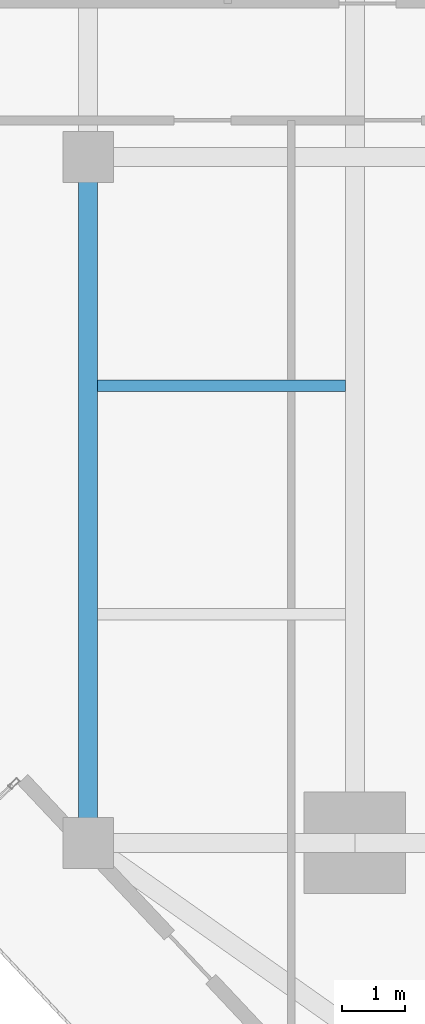
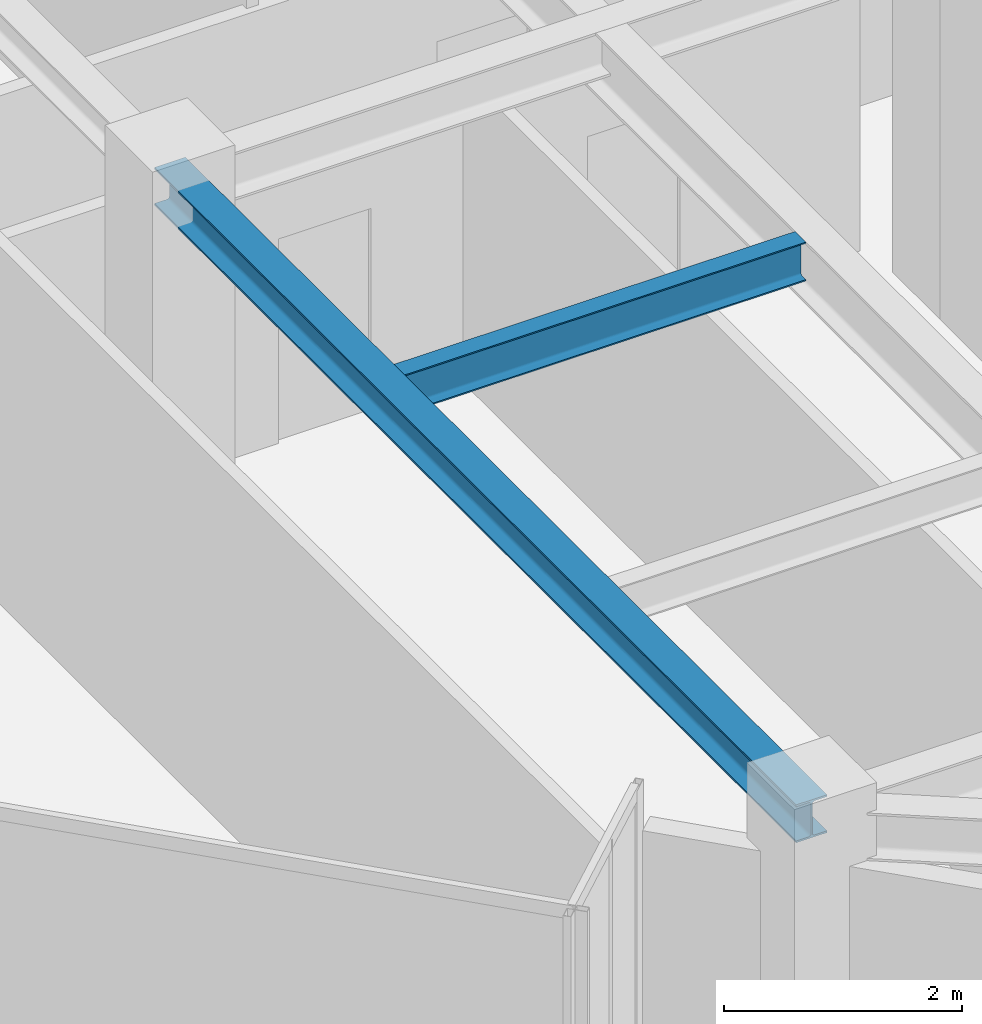
# One storey, part 6 of 25: 2 beams.
"""IFC4 building model written with IfcOpenShell, lengths in metres."""

from ifc_helpers import new_model, si_unit, direction, frame, origin, origin_2d, place, context, subcontext, project, spatial, i_section, extrude, source, transform, mapped, material, material_profile, profile_set, type_object, type_shapes, element, save


model = new_model("IFC4")

# Units and contexts
model_context = context("Model", 3, precision=1e-05, world=origin(), true_north=direction((0.0, 1.0)))
body_context = subcontext(model_context, "Body", "Model", "MODEL_VIEW")
ifc_project = project(units=[si_unit("LENGTHUNIT", "METRE"), si_unit("AREAUNIT", "SQUARE_METRE"), si_unit("VOLUMEUNIT", "CUBIC_METRE"), si_unit("PLANEANGLEUNIT", "RADIAN"), si_unit("MASSUNIT", "GRAM", prefix="KILO")], contexts=[model_context])

# Site, building, storey
site_placement = place(None, origin())
site = spatial("IfcSite", under=ifc_project, at=site_placement, CompositionType="ELEMENT")
building_placement = place(site_placement, origin())
building = spatial("IfcBuilding", under=site, at=building_placement, Name="Krantzveldt Concourse Tower", CompositionType="ELEMENT")
storey_placement = place(building_placement, frame((0.0, 0.0, 238.89990234375)))
storey = spatial("IfcBuildingStorey", under=building, at=storey_placement, Name="L58", CompositionType="ELEMENT", Elevation=238.89990234375)

# Beams
ifc_material = material(Name="Steel S355JR", Category="steel")
ifc_material_profile_1 = material_profile(ifc_material, i_section(OverallWidth=0.300048828125, OverallDepth=0.389892578125, WebThickness=0.010986328125, FlangeThickness=0.01904296875, FilletRadius=0.027099609375, at=origin_2d()), Name="Steel S355JR", Category="steel")
ifc_profile_set_1 = profile_set([ifc_material_profile_1], Name="Steel S355JR - HEA 400")
beam_type_1 = type_object("IfcBeamType", Name="BM-SP-HEA400", PredefinedType="SPANDREL", material=ifc_profile_set_1)
shared_shape_1 = source(origin(), body_context, "Body", "SweptSolid", [
    extrude(i_section(OverallWidth=0.300048828125, OverallDepth=0.389892578125, WebThickness=0.010986328125, FlangeThickness=0.01904296875, FilletRadius=0.027099609375, at=origin_2d()), origin(), (0.0, 0.0, 1.0), 10.800048828125),
])
type_shapes(beam_type_1, [shared_shape_1])
beam_1_placement = place(storey_placement, frame((21.0, 15.89990234375, 3.47509765625), z_axis=(0.0, 1.0, 0.0), x_axis=(-1.0, 0.0, 0.0)))
element("IfcBeam", 1, at=beam_1_placement, inside=storey, type_object=beam_type_1, Name="L58 Tower Girder SP-R01", PredefinedType="SPANDREL", context=body_context, shape_type="MappedRepresentation", body=[
    mapped(shared_shape_1, transform((0.0, 0.0, 0.0), x_axis=(1.0, 0.0, 0.0), y_axis=(0.0, 1.0, 0.0), z_axis=(0.0, 0.0, 1.0), scale=1.0)),
])
ifc_material_profile_2 = material_profile(ifc_material, i_section(OverallWidth=0.179931640625, OverallDepth=0.39990234375, WebThickness=0.008544921875, FlangeThickness=0.013427734375, FilletRadius=0.02099609375, at=origin_2d()), Name="Steel S355JR", Category="steel")
ifc_profile_set_2 = profile_set([ifc_material_profile_2], Name="Steel S355JR - IPE 400")
beam_type_2 = type_object("IfcBeamType", Name="BM-J-IPE400", PredefinedType="JOIST", material=ifc_profile_set_2)
shared_shape_2 = source(origin(), body_context, "Body", "SweptSolid", [
    extrude(i_section(OverallWidth=0.179931640625, OverallDepth=0.39990234375, WebThickness=0.008544921875, FlangeThickness=0.013427734375, FilletRadius=0.02099609375, at=origin_2d()), origin(), (0.0, 0.0, 1.0), 3.900146484375),
])
type_shapes(beam_type_2, [shared_shape_2])
beam_2_placement = place(storey_placement, frame((21.14990234375, 23.10009765625, 3.47021484375), z_axis=(1.0, 0.0, 0.0), x_axis=(0.0, 1.0, 0.0)))
element("IfcBeam", 2, at=beam_2_placement, inside=storey, type_object=beam_type_2, Name="L58 Secondary Floor Joist JW-2", PredefinedType="JOIST", context=body_context, shape_type="MappedRepresentation", body=[
    mapped(shared_shape_2, transform((0.0, 0.0, 0.0), x_axis=(1.0, 0.0, 0.0), y_axis=(0.0, 1.0, 0.0), z_axis=(0.0, 0.0, 1.0), scale=1.0)),
])

save(model, "model.ifc")
